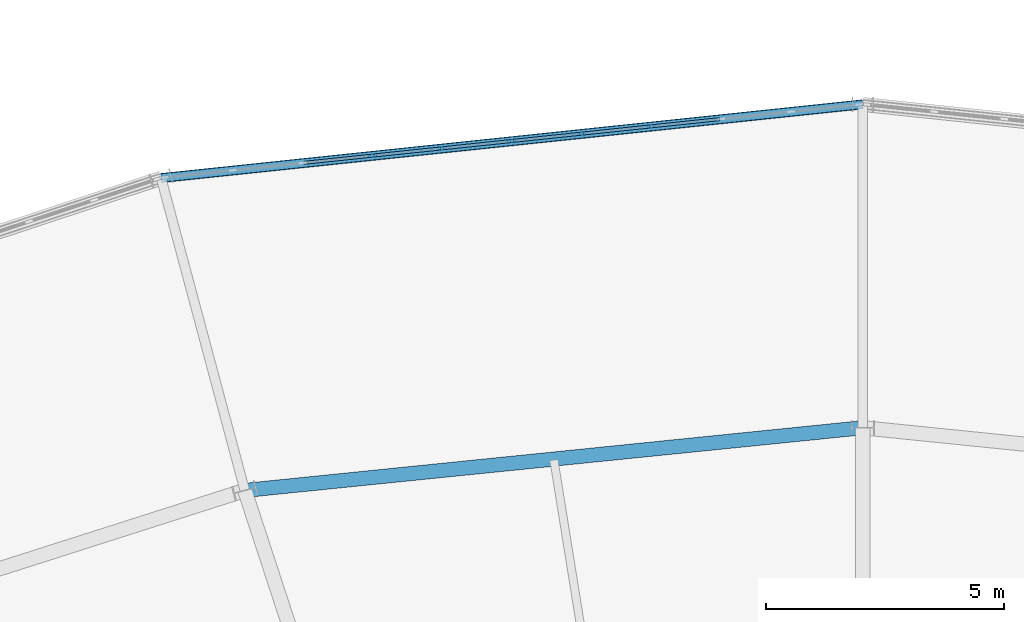
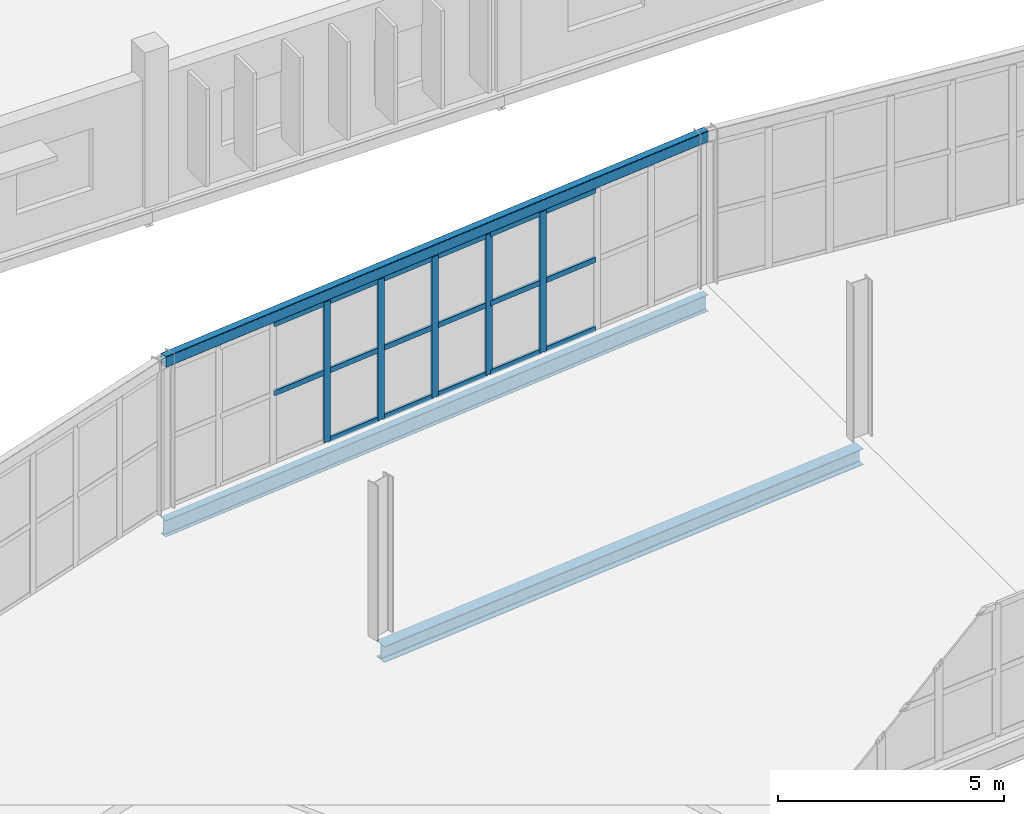
# One storey, part 96 of 161: 22 members, 3 beams, 1 element without a shape of its own.
"""IFC4 building model written with IfcOpenShell, lengths in metres."""

import ifcopenshell
import ifcopenshell.guid

model = None  # the IFC model being written
_history = None  # IfcOwnerHistory: only IFC2X3 demands one
_inside = {}  # id of a spatial element -> (the spatial element, [elements in it])
_under = {}  # id of a project, library or spatial element -> (it, [spatial elements below it])
_declared = {}  # id of a project -> (the project, [libraries it declares])
_typed = {}  # id of a type object -> (the type object, [elements of that type])
_made_of = {}  # id of a material, layer set ... -> (it, [elements and type objects made of it])


def new_model(schema):
    """Start an empty IFC model of exactly this schema.

    Asked for "IFC4X3", IfcOpenShell would pick the latest addendum, in which some entities
    have other attributes; the version numbers below select the first issue.
    IFC2X3 requires an IfcOwnerHistory on every rooted entity: one is made here for all.
    """
    global model, _history
    if schema == "IFC4X3":
        model = ifcopenshell.file(schema_version=(4, 3, 0, 0))
    else:
        model = ifcopenshell.file(schema=schema)
    _inside.clear()
    _under.clear()
    _declared.clear()
    _typed.clear()
    _made_of.clear()
    _history = None
    if model.schema == "IFC2X3":
        org = make("IfcOrganization", Name="unknown")
        user = make(
            "IfcPersonAndOrganization",
            ThePerson=make("IfcPerson", FamilyName="unknown"),
            TheOrganization=org,
        )
        app = make(
            "IfcApplication",
            ApplicationDeveloper=org,
            Version="unknown",
            ApplicationFullName="unknown",
            ApplicationIdentifier="unknown",
        )
        _history = make(
            "IfcOwnerHistory",
            OwningUser=user,
            OwningApplication=app,
            ChangeAction="ADDED",
            CreationDate=0,
        )
    return model


def make(cls, **values):
    """One entity of the class cls with the attributes given. An attribute that is None is left unset."""
    return model.create_entity(
        cls, **{name: value for name, value in values.items() if value is not None}
    )


def rooted(cls, **values):
    """An entity with a GlobalId (a new one), such as an element, a storey or a relation."""
    return make(cls, GlobalId=ifcopenshell.guid.new(), OwnerHistory=_history, **values)


def si_unit(unit_type, name, prefix=None):
    """IfcSIUnit, for example si_unit("LENGTHUNIT", "METRE", prefix="MILLI")."""
    return make("IfcSIUnit", UnitType=unit_type, Prefix=prefix, Name=name)


def assignment(units):
    """IfcUnitAssignment: the units of a project."""
    return None if units is None else make("IfcUnitAssignment", Units=units)


def point(xyz):
    """IfcCartesianPoint."""
    return None if xyz is None else make("IfcCartesianPoint", Coordinates=xyz)


def direction(xyz):
    """IfcDirection."""
    return None if xyz is None else make("IfcDirection", DirectionRatios=xyz)


def frame(location, z_axis=None, x_axis=None):
    """IfcAxis2Placement3D, a coordinate frame: its origin and axes. An axis left out is left unset."""
    return make(
        "IfcAxis2Placement3D",
        Location=point(location),
        Axis=direction(z_axis),
        RefDirection=direction(x_axis),
    )


def frame_2d(location, x_axis=None):
    """IfcAxis2Placement2D, a coordinate frame in the plane: its origin and x axis."""
    return make(
        "IfcAxis2Placement2D", Location=point(location), RefDirection=direction(x_axis)
    )


def origin():
    """The frame at (0, 0, 0) with its axes left unset."""
    return frame((0.0, 0.0, 0.0))


def origin_2d():
    """The frame at (0, 0) in the plane with its x axis left unset."""
    return frame_2d((0.0, 0.0))


def place(relative_to, where):
    """IfcLocalPlacement: puts the frame where relative to a parent placement (None: the world)."""
    return make(
        "IfcLocalPlacement", PlacementRelTo=relative_to, RelativePlacement=where
    )


def context(
    kind, dimensions, precision=None, world=None, true_north=None, identifier=None
):
    """IfcGeometricRepresentationContext, for example the 3D "Model" context."""
    return make(
        "IfcGeometricRepresentationContext",
        ContextIdentifier=identifier,
        ContextType=kind,
        CoordinateSpaceDimension=dimensions,
        Precision=precision,
        WorldCoordinateSystem=world,
        TrueNorth=true_north,
    )


def subcontext(parent, identifier, kind, view, scale=None):
    """IfcGeometricRepresentationSubContext, for example "Body" below "Model"."""
    return make(
        "IfcGeometricRepresentationSubContext",
        ContextIdentifier=identifier,
        ContextType=kind,
        ParentContext=parent,
        TargetScale=scale,
        TargetView=view,
    )


def project(units=None, contexts=None):
    """IfcProject with its units and contexts."""
    return rooted(
        "IfcProject",
        Name="project",
        RepresentationContexts=contexts,
        UnitsInContext=assignment(units),
    )


def spatial(cls, under=None, at=None, **own):
    """A site, building, storey or space (cls), placed at a placement, below another one or the project."""
    s = rooted(cls, ObjectPlacement=at, **own)
    if under is not None:
        _under.setdefault(under.id(), (under, []))[1].append(s)
    return s


def profile(cls, at=None, kind="AREA", **sizes):
    """A parametric profile (cls). Its sizes go by their IFC names, for example OverallWidth=200.0."""
    return make(cls, ProfileType=kind, Position=at, **sizes)


def rectangle(**sizes):
    """IfcRectangleProfileDef."""
    return profile("IfcRectangleProfileDef", **sizes)


def hollow_rectangle(**sizes):
    """IfcRectangleHollowProfileDef."""
    return profile("IfcRectangleHollowProfileDef", **sizes)


def i_section(**sizes):
    """IfcIShapeProfileDef."""
    return profile("IfcIShapeProfileDef", **sizes)


def extrude(swept, where, along, depth):
    """IfcExtrudedAreaSolid: the profile swept, set in the frame where, extruded along a direction by depth."""
    return make(
        "IfcExtrudedAreaSolid",
        SweptArea=swept,
        Position=where,
        ExtrudedDirection=direction(along),
        Depth=depth,
    )


def shape(context_of_items, identifier, shape_type, items):
    """IfcShapeRepresentation: the items that make up one representation, for example the "Body"."""
    return make(
        "IfcShapeRepresentation",
        ContextOfItems=context_of_items,
        RepresentationIdentifier=identifier,
        RepresentationType=shape_type,
        Items=items,
    )


def material(Name=None, Category=None):
    """IfcMaterial."""
    return make("IfcMaterial", Name=Name, Category=Category)


def material_profile(
    of_material, cross_section, Name=None, Category=None, Priority=None
):
    """IfcMaterialProfile: a cross section and its material."""
    return make(
        "IfcMaterialProfile",
        Name=Name,
        Material=of_material,
        Profile=cross_section,
        Priority=Priority,
        Category=Category,
    )


def profile_set(profiles, Name=None, composite=None):
    """IfcMaterialProfileSet."""
    return make(
        "IfcMaterialProfileSet",
        Name=Name,
        MaterialProfiles=profiles,
        CompositeProfile=composite,
    )


def made_of(thing, what):
    """Note that an element or type object is made of a material, layer set ...; save() writes the relation."""
    if what is not None:
        _made_of.setdefault(what.id(), (what, []))[1].append(thing)
    return thing


def type_object(cls, material=None, **own):
    """A type object (cls), such as IfcWallType, which elements share."""
    return made_of(rooted(cls, **own), material)


def element(
    cls,
    number,
    at=None,
    inside=None,
    cuts=None,
    type_object=None,
    material=None,
    context=None,
    identifier="Body",
    shape_type=None,
    held_by="IfcProductDefinitionShape",
    body=None,
    shapes=None,
    **own,
):
    """One element of the class cls, such as IfcWall. Its Tag is "e" and its number.

    at: its placement. inside: the storey or other place that contains it. cuts: it is an
    opening in that element (IfcRelVoidsElement). A single representation is given by context,
    identifier, shape_type and body (its items); several are given by shapes. held_by: the class
    of the entity that holds the representations. save() writes the other relations.
    """
    e = rooted(cls, Tag="e%d" % number, ObjectPlacement=at, **own)
    if body is not None:
        shapes = [shape(context, identifier, shape_type, body)]
    if shapes is not None:
        e.Representation = make(held_by, Representations=shapes)
    if inside is not None:
        _inside.setdefault(inside.id(), (inside, []))[1].append(e)
    if cuts is not None:
        rooted(
            "IfcRelVoidsElement", RelatingBuildingElement=cuts, RelatedOpeningElement=e
        )
    if type_object is not None:
        _typed.setdefault(type_object.id(), (type_object, []))[1].append(e)
    return made_of(e, material)


def aggregate(whole, parts):
    """IfcRelAggregates: a whole, such as a stair, and the parts it consists of."""
    return rooted("IfcRelAggregates", RelatingObject=whole, RelatedObjects=parts)


def save(model, path):
    """Write the relations noted so far, then the file.

    IfcRelAggregates (storeys below a building ...), IfcRelContainedInSpatialStructure (elements
    in a storey), IfcRelDefinesByType, IfcRelAssociatesMaterial and IfcRelDeclares: one each for
    every whole, place, type object, material and project.
    """
    for whole, parts in _under.values():
        aggregate(whole, parts)
    for where, things in _inside.values():
        rooted(
            "IfcRelContainedInSpatialStructure",
            RelatedElements=things,
            RelatingStructure=where,
        )
    for kind, things in _typed.values():
        rooted("IfcRelDefinesByType", RelatedObjects=things, RelatingType=kind)
    for what, things in _made_of.values():
        rooted("IfcRelAssociatesMaterial", RelatedObjects=things, RelatingMaterial=what)
    for by, libraries in _declared.values():
        rooted("IfcRelDeclares", RelatingContext=by, RelatedDefinitions=libraries)
    model.write(path)


model = new_model("IFC4")

# Units and contexts
model_context = context("Model", 3, precision=1e-05, world=origin(), true_north=direction((0.0, 1.0)))
body_context = subcontext(model_context, "Body", "Model", "MODEL_VIEW")
ifc_project = project(units=[si_unit("LENGTHUNIT", "METRE"), si_unit("AREAUNIT", "SQUARE_METRE"), si_unit("VOLUMEUNIT", "CUBIC_METRE"), si_unit("PLANEANGLEUNIT", "RADIAN"), si_unit("MASSUNIT", "GRAM", prefix="KILO")], contexts=[model_context])

# Site, building, storey
site_placement = place(None, origin())
site = spatial("IfcSite", under=ifc_project, at=site_placement, CompositionType="ELEMENT")
building_placement = place(site_placement, origin())
building = spatial("IfcBuilding", under=site, at=building_placement, Name="Kildeholm Park Wholesale Market", CompositionType="ELEMENT")
storey_placement = place(building_placement, frame((0.0, 0.0, 5.39990234375)))
storey = spatial("IfcBuildingStorey", under=building, at=storey_placement, Name="L01", CompositionType="ELEMENT", Elevation=5.39990234375)

# Beams
ifc_material_1 = material(Name="Steel S355", Category="steel")
ifc_material_profile_1 = material_profile(ifc_material_1, i_section(OverallWidth=0.18994140625, OverallDepth=0.449951171875, WebThickness=0.009521484375, FlangeThickness=0.0146484375, FilletRadius=0.02099609375, at=origin_2d()), Name="IPE 450")
ifc_profile_set_1 = profile_set([ifc_material_profile_1], Name="Steel S355")
beam_type_1 = type_object("IfcBeamType", Name="Beam B-P02 IPE 450", PredefinedType="BEAM", material=ifc_profile_set_1)
beam_1_placement = place(storey_placement, frame((99.0, 135.0, -0.474853515625), z_axis=(-0.99452572496, -0.104492020715, 0.0), x_axis=(0.104492020715, -0.99452572496, 0.0)))
element("IfcBeam", 1, at=beam_1_placement, inside=storey, type_object=beam_type_1, Name="Beam BM-V1-L01-CO-06 BM-0061", PredefinedType="BEAM", context=body_context, shape_type="SweptSolid", body=[
    extrude(i_section(OverallWidth=0.18994140625, OverallDepth=0.449951171875, WebThickness=0.009521484375, FlangeThickness=0.0146484375, FilletRadius=0.02099609375, at=origin_2d()), origin(), (0.0, 0.0, 1.0), 14.834228515625),
])
ifc_material_profile_2 = material_profile(ifc_material_1, i_section(OverallWidth=0.300048828125, OverallDepth=0.43994140625, WebThickness=0.011474609375, FlangeThickness=0.02099609375, FilletRadius=0.027099609375, at=origin_2d()), Name="HEA 450")
ifc_profile_set_2 = profile_set([ifc_material_profile_2], Name="Steel S355")
beam_type_2 = type_object("IfcBeamType", Name="Beam B-R02 HEA 450", PredefinedType="BEAM", material=ifc_profile_set_2)
beam_2_placement = place(storey_placement, frame((99.0, 128.199951171875, -0.469970703125), z_axis=(-0.994887827563, -0.100986189979, 0.0), x_axis=(0.100986189979, -0.994887827563, 0.0)))
element("IfcBeam", 2, at=beam_2_placement, inside=storey, type_object=beam_type_2, Name="Beam BM-V1-L01-CM-06 BM-0060", PredefinedType="BEAM", context=body_context, shape_type="SweptSolid", body=[
    extrude(i_section(OverallWidth=0.300048828125, OverallDepth=0.43994140625, WebThickness=0.011474609375, FlangeThickness=0.02099609375, FilletRadius=0.027099609375, at=origin_2d()), origin(), (0.0, 0.0, 1.0), 13.0595703125),
])
ifc_material_profile_3 = material_profile(ifc_material_1, hollow_rectangle(XDim=0.199951171875, YDim=0.300048828125, WallThickness=0.012451171875, InnerFilletRadius=0.012451171875, OuterFilletRadius=0.02490234375, at=origin_2d()), Name="RHS 300x200x12.5")
ifc_profile_set_3 = profile_set([ifc_material_profile_3], Name="Steel S355")
beam_type_3 = type_object("IfcBeamType", Name="Beam SP-01 RHS 300x200x12.5", PredefinedType="SPANDREL", material=ifc_profile_set_3)
beam_3_placement = place(storey_placement, frame((99.0, 135.0, 4.02294921875), z_axis=(-0.99452572496, -0.104492020715, 0.0), x_axis=(0.104492020715, -0.99452572496, 0.0)))
element("IfcBeam", 3, at=beam_3_placement, inside=storey, type_object=beam_type_3, Name="Beam SP-V1-EAV-06 BM-0256", PredefinedType="SPANDREL", context=body_context, shape_type="SweptSolid", body=[
    extrude(hollow_rectangle(XDim=0.199951171875, YDim=0.300048828125, WallThickness=0.012451171875, InnerFilletRadius=0.012451171875, OuterFilletRadius=0.02490234375, at=origin_2d()), origin(), (0.0, 0.0, 1.0), 14.834228515625),
])

# Curtain wall, members
ifc_material_2 = material(Name="Anodised aluminium and low-E double-glazed glass", Category="aluminium")
curtain_wall_type = type_object("IfcCurtainWallType", Name="Market hall glazed arcade stick curtain wall CW-01", PredefinedType="NOTDEFINED", material=ifc_material_2)
curtain_wall_placement = place(storey_placement, origin())
curtain_wall = element("IfcCurtainWall", 4, at=curtain_wall_placement, inside=storey, type_object=curtain_wall_type, Name="Curtain wall CW-V1-OT-06-1 CW-0030", PredefinedType="NOTDEFINED")
ifc_material_3 = material(Name="Anodised aluminium", Category="aluminium")
ifc_material_profile_4 = material_profile(ifc_material_3, rectangle(XDim=0.06494140625, YDim=0.179931640625, at=origin_2d()), Name="CWM 65x180")
ifc_profile_set_4 = profile_set([ifc_material_profile_4], Name="Anodised aluminium")
member_type_1 = type_object("IfcMemberType", Name="Curtain-wall mullion CWM-1 CWM 65x180", PredefinedType="MULLION", material=ifc_profile_set_4)
member_1_placement = place(storey_placement, frame((94.557861328125, 134.537353515625, 0.0), z_axis=(0.0, 0.0, 1.0), x_axis=(0.104508383308, -0.994524005652, 0.0)))
member_1 = element("IfcMember", 5, at=member_1_placement, type_object=member_type_1, Name="CW-01 mullion 4 MEM-1198", PredefinedType="MULLION", context=body_context, shape_type="SweptSolid", body=[
    extrude(rectangle(XDim=0.06494140625, YDim=0.179931640625, at=origin_2d()), origin(), (0.0, 0.0, 1.0), 3.800048828125),
])
member_2_placement = place(storey_placement, frame((93.09033203125, 134.38330078125, 0.0), z_axis=(0.0, 0.0, 1.0), x_axis=(0.104508383308, -0.994524005652, 0.0)))
member_2 = element("IfcMember", 6, at=member_2_placement, type_object=member_type_1, Name="CW-01 mullion 5 MEM-1199", PredefinedType="MULLION", context=body_context, shape_type="SweptSolid", body=[
    extrude(rectangle(XDim=0.06494140625, YDim=0.179931640625, at=origin_2d()), origin(), (0.0, 0.0, 1.0), 3.800048828125),
])
member_3_placement = place(storey_placement, frame((91.623046875, 134.22900390625, 0.0), z_axis=(0.0, 0.0, 1.0), x_axis=(0.104508383308, -0.994524005652, 0.0)))
member_3 = element("IfcMember", 7, at=member_3_placement, type_object=member_type_1, Name="CW-01 mullion 6 MEM-1200", PredefinedType="MULLION", context=body_context, shape_type="SweptSolid", body=[
    extrude(rectangle(XDim=0.06494140625, YDim=0.179931640625, at=origin_2d()), origin(), (0.0, 0.0, 1.0), 3.800048828125),
])
member_4_placement = place(storey_placement, frame((90.155517578125, 134.07470703125, 0.0), z_axis=(0.0, 0.0, 1.0), x_axis=(0.104508383308, -0.994524005652, 0.0)))
member_4 = element("IfcMember", 8, at=member_4_placement, type_object=member_type_1, Name="CW-01 mullion 7 MEM-1201", PredefinedType="MULLION", context=body_context, shape_type="SweptSolid", body=[
    extrude(rectangle(XDim=0.06494140625, YDim=0.179931640625, at=origin_2d()), origin(), (0.0, 0.0, 1.0), 3.800048828125),
])
member_5_placement = place(storey_placement, frame((88.688232421875, 133.920654296875, 0.0), z_axis=(0.0, 0.0, 1.0), x_axis=(0.104508383308, -0.994524005652, 0.0)))
member_5 = element("IfcMember", 9, at=member_5_placement, type_object=member_type_1, Name="CW-01 mullion 8 MEM-1202", PredefinedType="MULLION", context=body_context, shape_type="SweptSolid", body=[
    extrude(rectangle(XDim=0.06494140625, YDim=0.179931640625, at=origin_2d()), origin(), (0.0, 0.0, 1.0), 3.800048828125),
])
ifc_material_profile_5 = material_profile(ifc_material_3, rectangle(XDim=0.06494140625, YDim=0.139892578125, at=origin_2d()), Name="CWT 65x140")
ifc_profile_set_5 = profile_set([ifc_material_profile_5], Name="Anodised aluminium")
member_type_2 = type_object("IfcMemberType", Name="Curtain-wall transom CWT-1 CWT 65x140", PredefinedType="USERDEFINED", material=ifc_profile_set_5)
member_6_placement = place(storey_placement, frame((95.992919921875, 134.688232421875, 0.03271484375), z_axis=(-0.994520616656, -0.104540628691, 0.0), x_axis=(0.104540628691, -0.994520616656, 0.0)))
member_6 = element("IfcMember", 10, at=member_6_placement, type_object=member_type_2, Name="CW-01 transom 3.1 MEM-1212", ObjectType="TRANSOM", PredefinedType="USERDEFINED", context=body_context, shape_type="SweptSolid", body=[
    extrude(rectangle(XDim=0.06494140625, YDim=0.139892578125, at=origin_2d()), origin(), (0.0, 0.0, 1.0), 1.41064453125),
])
member_7_placement = place(storey_placement, frame((95.992919921875, 134.688232421875, 1.900146484375), z_axis=(-0.994520616656, -0.104540628691, 0.0), x_axis=(0.104540628691, -0.994520616656, 0.0)))
member_7 = element("IfcMember", 11, at=member_7_placement, type_object=member_type_2, Name="CW-01 transom 3.2 MEM-1213", ObjectType="TRANSOM", PredefinedType="USERDEFINED", context=body_context, shape_type="SweptSolid", body=[
    extrude(rectangle(XDim=0.06494140625, YDim=0.139892578125, at=origin_2d()), origin(), (0.0, 0.0, 1.0), 1.41064453125),
])
member_8_placement = place(storey_placement, frame((95.992919921875, 134.688232421875, 3.767578125), z_axis=(-0.994520616656, -0.104540628691, 0.0), x_axis=(0.104540628691, -0.994520616656, 0.0)))
member_8 = element("IfcMember", 12, at=member_8_placement, type_object=member_type_2, Name="CW-01 transom 3.3 MEM-1214", ObjectType="TRANSOM", PredefinedType="USERDEFINED", context=body_context, shape_type="SweptSolid", body=[
    extrude(rectangle(XDim=0.06494140625, YDim=0.139892578125, at=origin_2d()), origin(), (0.0, 0.0, 1.0), 1.41064453125),
])
member_9_placement = place(storey_placement, frame((94.525390625, 134.533935546875, 0.03271484375), z_axis=(-0.994518724615, -0.104558626574, 0.0), x_axis=(0.104558626574, -0.994518724615, 0.0)))
member_9 = element("IfcMember", 13, at=member_9_placement, type_object=member_type_2, Name="CW-01 transom 4.1 MEM-1215", ObjectType="TRANSOM", PredefinedType="USERDEFINED", context=body_context, shape_type="SweptSolid", body=[
    extrude(rectangle(XDim=0.06494140625, YDim=0.139892578125, at=origin_2d()), origin(), (0.0, 0.0, 1.0), 1.410400390625),
])
member_10_placement = place(storey_placement, frame((94.525390625, 134.533935546875, 1.900146484375), z_axis=(-0.994518724615, -0.104558626574, 0.0), x_axis=(0.104558626574, -0.994518724615, 0.0)))
member_10 = element("IfcMember", 14, at=member_10_placement, type_object=member_type_2, Name="CW-01 transom 4.2 MEM-1216", ObjectType="TRANSOM", PredefinedType="USERDEFINED", context=body_context, shape_type="SweptSolid", body=[
    extrude(rectangle(XDim=0.06494140625, YDim=0.139892578125, at=origin_2d()), origin(), (0.0, 0.0, 1.0), 1.410400390625),
])
member_11_placement = place(storey_placement, frame((94.525390625, 134.533935546875, 3.767578125), z_axis=(-0.994518724615, -0.104558626574, 0.0), x_axis=(0.104558626574, -0.994518724615, 0.0)))
member_11 = element("IfcMember", 15, at=member_11_placement, type_object=member_type_2, Name="CW-01 transom 4.3 MEM-1217", ObjectType="TRANSOM", PredefinedType="USERDEFINED", context=body_context, shape_type="SweptSolid", body=[
    extrude(rectangle(XDim=0.06494140625, YDim=0.139892578125, at=origin_2d()), origin(), (0.0, 0.0, 1.0), 1.410400390625),
])
member_12_placement = place(storey_placement, frame((93.05810546875, 134.3798828125, 0.03271484375), z_axis=(-0.994520616656, -0.104540628691, 0.0), x_axis=(0.104540628691, -0.994520616656, 0.0)))
member_12 = element("IfcMember", 16, at=member_12_placement, type_object=member_type_2, Name="CW-01 transom 5.1 MEM-1218", ObjectType="TRANSOM", PredefinedType="USERDEFINED", context=body_context, shape_type="SweptSolid", body=[
    extrude(rectangle(XDim=0.06494140625, YDim=0.139892578125, at=origin_2d()), origin(), (0.0, 0.0, 1.0), 1.41064453125),
])
member_13_placement = place(storey_placement, frame((93.05810546875, 134.3798828125, 1.900146484375), z_axis=(-0.994520616656, -0.104540628691, 0.0), x_axis=(0.104540628691, -0.994520616656, 0.0)))
member_13 = element("IfcMember", 17, at=member_13_placement, type_object=member_type_2, Name="CW-01 transom 5.2 MEM-1219", ObjectType="TRANSOM", PredefinedType="USERDEFINED", context=body_context, shape_type="SweptSolid", body=[
    extrude(rectangle(XDim=0.06494140625, YDim=0.139892578125, at=origin_2d()), origin(), (0.0, 0.0, 1.0), 1.41064453125),
])
member_14_placement = place(storey_placement, frame((93.05810546875, 134.3798828125, 3.767578125), z_axis=(-0.994520616656, -0.104540628691, 0.0), x_axis=(0.104540628691, -0.994520616656, 0.0)))
member_14 = element("IfcMember", 18, at=member_14_placement, type_object=member_type_2, Name="CW-01 transom 5.3 MEM-1220", ObjectType="TRANSOM", PredefinedType="USERDEFINED", context=body_context, shape_type="SweptSolid", body=[
    extrude(rectangle(XDim=0.06494140625, YDim=0.139892578125, at=origin_2d()), origin(), (0.0, 0.0, 1.0), 1.41064453125),
])
member_15_placement = place(storey_placement, frame((91.590576171875, 134.2255859375, 0.03271484375), z_axis=(-0.994518724615, -0.104558626574, 0.0), x_axis=(0.104558626574, -0.994518724615, 0.0)))
member_15 = element("IfcMember", 19, at=member_15_placement, type_object=member_type_2, Name="CW-01 transom 6.1 MEM-1221", ObjectType="TRANSOM", PredefinedType="USERDEFINED", context=body_context, shape_type="SweptSolid", body=[
    extrude(rectangle(XDim=0.06494140625, YDim=0.139892578125, at=origin_2d()), origin(), (0.0, 0.0, 1.0), 1.410400390625),
])
member_16_placement = place(storey_placement, frame((91.590576171875, 134.2255859375, 1.900146484375), z_axis=(-0.994518724615, -0.104558626574, 0.0), x_axis=(0.104558626574, -0.994518724615, 0.0)))
member_16 = element("IfcMember", 20, at=member_16_placement, type_object=member_type_2, Name="CW-01 transom 6.2 MEM-1222", ObjectType="TRANSOM", PredefinedType="USERDEFINED", context=body_context, shape_type="SweptSolid", body=[
    extrude(rectangle(XDim=0.06494140625, YDim=0.139892578125, at=origin_2d()), origin(), (0.0, 0.0, 1.0), 1.410400390625),
])
member_17_placement = place(storey_placement, frame((91.590576171875, 134.2255859375, 3.767578125), z_axis=(-0.994518724615, -0.104558626574, 0.0), x_axis=(0.104558626574, -0.994518724615, 0.0)))
member_17 = element("IfcMember", 21, at=member_17_placement, type_object=member_type_2, Name="CW-01 transom 6.3 MEM-1223", ObjectType="TRANSOM", PredefinedType="USERDEFINED", context=body_context, shape_type="SweptSolid", body=[
    extrude(rectangle(XDim=0.06494140625, YDim=0.139892578125, at=origin_2d()), origin(), (0.0, 0.0, 1.0), 1.410400390625),
])
member_18_placement = place(storey_placement, frame((90.123291015625, 134.0712890625, 0.03271484375), z_axis=(-0.994538597049, -0.104369435089, 0.0), x_axis=(0.104369435089, -0.994538597049, 0.0)))
member_18 = element("IfcMember", 22, at=member_18_placement, type_object=member_type_2, Name="CW-01 transom 7.1 MEM-1224", ObjectType="TRANSOM", PredefinedType="USERDEFINED", context=body_context, shape_type="SweptSolid", body=[
    extrude(rectangle(XDim=0.06494140625, YDim=0.139892578125, at=origin_2d()), origin(), (0.0, 0.0, 1.0), 1.41064453125),
])
member_19_placement = place(storey_placement, frame((90.123291015625, 134.0712890625, 1.900146484375), z_axis=(-0.994538597049, -0.104369435089, 0.0), x_axis=(0.104369435089, -0.994538597049, 0.0)))
member_19 = element("IfcMember", 23, at=member_19_placement, type_object=member_type_2, Name="CW-01 transom 7.2 MEM-1225", ObjectType="TRANSOM", PredefinedType="USERDEFINED", context=body_context, shape_type="SweptSolid", body=[
    extrude(rectangle(XDim=0.06494140625, YDim=0.139892578125, at=origin_2d()), origin(), (0.0, 0.0, 1.0), 1.41064453125),
])
member_20_placement = place(storey_placement, frame((90.123291015625, 134.0712890625, 3.767578125), z_axis=(-0.994538597049, -0.104369435089, 0.0), x_axis=(0.104369435089, -0.994538597049, 0.0)))
member_20 = element("IfcMember", 24, at=member_20_placement, type_object=member_type_2, Name="CW-01 transom 7.3 MEM-1226", ObjectType="TRANSOM", PredefinedType="USERDEFINED", context=body_context, shape_type="SweptSolid", body=[
    extrude(rectangle(XDim=0.06494140625, YDim=0.139892578125, at=origin_2d()), origin(), (0.0, 0.0, 1.0), 1.41064453125),
])
member_21_placement = place(storey_placement, frame((88.65576171875, 133.917236328125, 1.900146484375), z_axis=(-0.994518724615, -0.104558626574, 0.0), x_axis=(0.104558626574, -0.994518724615, 0.0)))
member_21 = element("IfcMember", 25, at=member_21_placement, type_object=member_type_2, Name="CW-01 transom 8.2 MEM-1228", ObjectType="TRANSOM", PredefinedType="USERDEFINED", context=body_context, shape_type="SweptSolid", body=[
    extrude(rectangle(XDim=0.06494140625, YDim=0.139892578125, at=origin_2d()), origin(), (0.0, 0.0, 1.0), 1.410400390625),
])
member_22_placement = place(storey_placement, frame((88.65576171875, 133.917236328125, 3.767578125), z_axis=(-0.994518724615, -0.104558626574, 0.0), x_axis=(0.104558626574, -0.994518724615, 0.0)))
member_22 = element("IfcMember", 26, at=member_22_placement, type_object=member_type_2, Name="CW-01 transom 8.3 MEM-1229", ObjectType="TRANSOM", PredefinedType="USERDEFINED", context=body_context, shape_type="SweptSolid", body=[
    extrude(rectangle(XDim=0.06494140625, YDim=0.139892578125, at=origin_2d()), origin(), (0.0, 0.0, 1.0), 1.410400390625),
])
aggregate(curtain_wall, [member_1, member_2, member_3, member_4, member_5, member_6, member_7, member_8, member_9, member_10, member_11, member_12, member_13, member_14, member_15, member_16, member_17, member_18, member_19, member_20, member_21, member_22])

save(model, "model.ifc")
